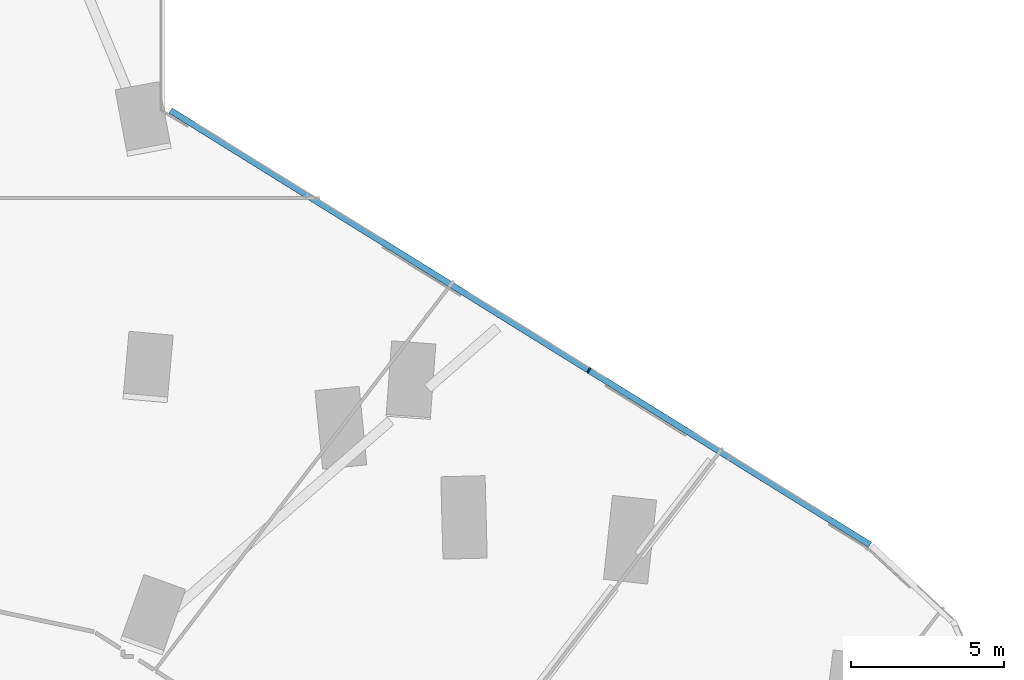
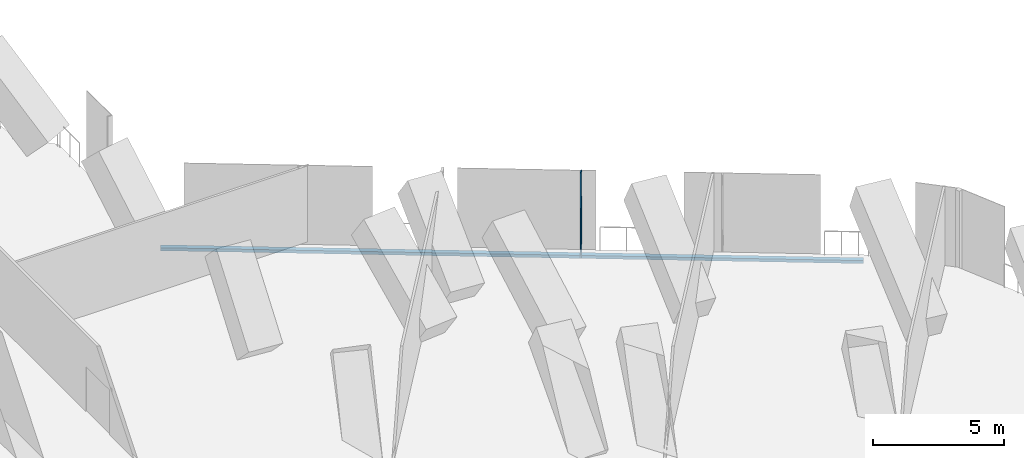
# One storey, part 12 of 32: 2 members, 1 element without a shape of its own.
"""IFC4 building model written with IfcOpenShell, lengths in metres."""

from ifc_helpers import new_model, si_unit, direction, frame, origin, origin_2d, place, context, subcontext, project, spatial, rectangle, extrude, material, material_profile, profile_set, type_object, element, aggregate, save


model = new_model("IFC4")

# Units and contexts
model_context = context("Model", 3, precision=1e-05, world=origin(), true_north=direction((0.0, 1.0)))
body_context = subcontext(model_context, "Body", "Model", "MODEL_VIEW")
ifc_project = project(units=[si_unit("LENGTHUNIT", "METRE"), si_unit("AREAUNIT", "SQUARE_METRE"), si_unit("VOLUMEUNIT", "CUBIC_METRE"), si_unit("PLANEANGLEUNIT", "RADIAN"), si_unit("MASSUNIT", "GRAM", prefix="KILO")], contexts=[model_context])

# Site, building, storey
site_placement = place(None, origin())
site = spatial("IfcSite", under=ifc_project, at=site_placement, CompositionType="ELEMENT")
building_placement = place(site_placement, origin())
building = spatial("IfcBuilding", under=site, at=building_placement, Name="Orlundy Tower", CompositionType="ELEMENT")
storey_placement = place(building_placement, frame((0.0, 0.0, 33.300048828125)))
storey = spatial("IfcBuildingStorey", under=building, at=storey_placement, Name="L06", CompositionType="ELEMENT", Elevation=33.300048828125)

# Curtain wall, members
ifc_material_1 = material(Name="Aluminium bronze anodised", Category="aluminium")
curtain_wall_type = type_object("IfcCurtainWallType", Name="CW5 wall", PredefinedType="NOTDEFINED", material=ifc_material_1)
curtain_wall_placement = place(storey_placement, origin())
curtain_wall = element("IfcCurtainWall", 1, at=curtain_wall_placement, inside=storey, type_object=curtain_wall_type, Name="CW5 run 015", PredefinedType="NOTDEFINED")
ifc_material_2 = material(Name="Aluminium bronze anodised", Category="aluminium")
ifc_material_profile_1 = material_profile(ifc_material_2, rectangle(XDim=0.199951171875, YDim=0.050048828125, at=origin_2d()), Name="CW5 mullion 50x200")
ifc_profile_set_1 = profile_set([ifc_material_profile_1], Name="Aluminium bronze anodised")
member_type_1 = type_object("IfcMemberType", Name="CW5 mullion 50x200", PredefinedType="MULLION", material=ifc_profile_set_1)
member_1_placement = place(storey_placement, frame((43.86962890625, -3.5771484375, -0.420166015625), z_axis=(0.0, 0.0, 1.0), x_axis=(0.527462960773, 0.849578027619, 0.0)))
member_1 = element("IfcMember", 2, at=member_1_placement, type_object=member_type_1, Name="CW5 mullion 26", PredefinedType="MULLION", context=body_context, shape_type="SweptSolid", body=[
    extrude(rectangle(XDim=0.199951171875, YDim=0.050048828125, at=origin_2d()), origin(), (0.0, 0.0, 1.0), 4.0),
])
ifc_material_3 = material(Name="Aluminium bronze anodised", Category="aluminium")
ifc_material_profile_2 = material_profile(ifc_material_3, rectangle(XDim=0.199951171875, YDim=0.139892578125, at=origin_2d()), Name="CW5 transom 200x140")
ifc_profile_set_2 = profile_set([ifc_material_profile_2], Name="Aluminium bronze anodised")
member_type_2 = type_object("IfcMemberType", Name="CW5 transom 200x140", PredefinedType="USERDEFINED", material=ifc_profile_set_2)
member_2_placement = place(storey_placement, frame((30.18505859375, 4.9189453125, -0.35009765625), z_axis=(0.849575177157, -0.527467551949, 0.0), x_axis=(0.527467551949, 0.849575177157, 0.0)))
member_2 = element("IfcMember", 3, at=member_2_placement, type_object=member_type_2, Name="CW5 transom", ObjectType="TRANSOM", PredefinedType="USERDEFINED", context=body_context, shape_type="SweptSolid", body=[
    extrude(rectangle(XDim=0.199951171875, YDim=0.139892578125, at=origin_2d()), origin(), (0.0, 0.0, 1.0), 26.934326171875),
])
aggregate(curtain_wall, [member_1, member_2])

save(model, "model.ifc")
